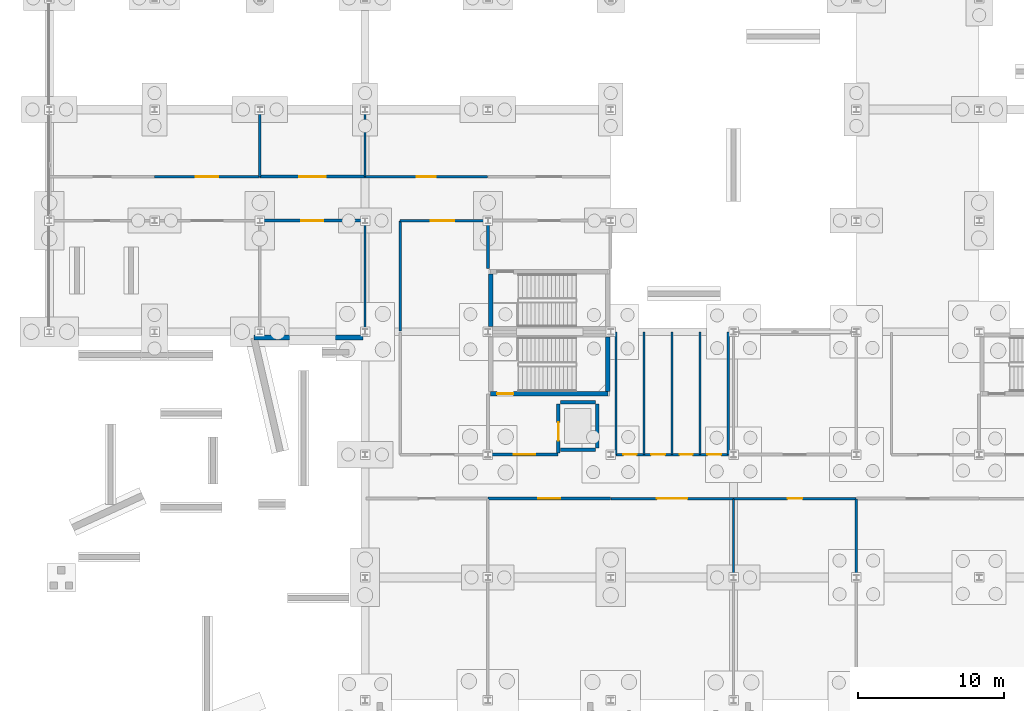
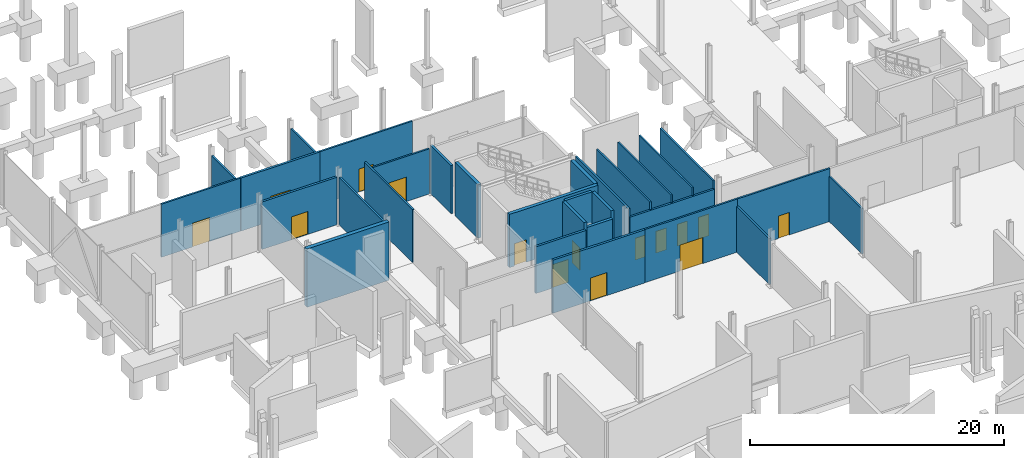
# One storey, part 44 of 61: 30 walls, 15 doors, 15 openings.
"""IFC4 building model written with IfcOpenShell, lengths in metres."""

from ifc_helpers import new_model, si_unit, direction, frame, frame_2d, origin, place, context, subcontext, project, spatial, rectangle, extrude, material, layer, layer_set, type_object, element, fill, save


model = new_model("IFC4")

# Units and contexts
model_context = context("Model", 3, precision=1e-05, world=origin(), true_north=direction((0.0, 1.0)))
body_context = subcontext(model_context, "Body", "Model", "MODEL_VIEW")
ifc_project = project(units=[si_unit("LENGTHUNIT", "METRE"), si_unit("AREAUNIT", "SQUARE_METRE"), si_unit("VOLUMEUNIT", "CUBIC_METRE"), si_unit("PLANEANGLEUNIT", "RADIAN"), si_unit("MASSUNIT", "GRAM", prefix="KILO")], contexts=[model_context])

# Site, building, storey
site_placement = place(None, origin())
site = spatial("IfcSite", under=ifc_project, at=site_placement, CompositionType="ELEMENT")
building_placement = place(site_placement, origin())
building = spatial("IfcBuilding", under=site, at=building_placement, Name="Calvrana Isthmian Art Gallery", CompositionType="ELEMENT")
storey_placement = place(building_placement, frame((0.0, 0.0, -5.39990234375)))
storey = spatial("IfcBuildingStorey", under=building, at=storey_placement, Name="B1", CompositionType="ELEMENT", Elevation=-5.39990234375)

# Wall, opening, door
ifc_material_1 = material(Name="Concrete C40/50", Category="concrete")
ifc_layer_1 = layer(ifc_material_1, 0.300048828125, Name="Concrete C40/50")
ifc_layer_set_1 = layer_set([ifc_layer_1], Name="Concrete C40/50")
wall_type_1 = type_object("IfcWallType", Name="CW-SHAFT-300", PredefinedType="SHEAR", material=ifc_layer_set_1)
wall_1_placement = place(storey_placement, frame((30.18994140625, 42.56005859375, 0.0), z_axis=(0.0, 0.0, 1.0), x_axis=(1.0, 0.0, 0.0)))
wall_1 = element("IfcWall", 1, at=wall_1_placement, inside=storey, type_object=wall_type_1, Name="Core C1 shear wall S B1", PredefinedType="SHEAR", context=body_context, shape_type="SweptSolid", body=[
    extrude(rectangle(XDim=8.02001953125, YDim=0.300048828125, at=frame_2d((4.010009765625, 0.0))), origin(), (0.0, 0.0, 1.0), 5.119873046875),
])
opening_1_placement = place(wall_1_placement, frame((0.449951171875, 0.0, 0.0)))
opening_1 = element("IfcOpeningElement", 2, at=opening_1_placement, cuts=wall_1, Name="Opening D-101", PredefinedType="OPENING", context=body_context, shape_type="SweptSolid", body=[
    extrude(rectangle(XDim=1.10009765625, YDim=2.14990234375, at=frame_2d((0.550048828125, 1.074951171875))), frame((0.0, 0.16015625, 0.0), z_axis=(0.0, -1.0, 0.0), x_axis=(1.0, 0.0, 0.0)), (0.0, 0.0, 1.0), 0.320556640625),
])
ifc_material_2 = material(Name="Steel ASTM A572 Gr 50", Category="steel")
door_type_1 = type_object("IfcDoorType", Name="DR-FIRE-1100", OperationType="NOTDEFINED", PredefinedType="DOOR", material=ifc_material_2)
door_1_placement = place(opening_1_placement, origin())
door_1 = element("IfcDoor", 3, at=door_1_placement, inside=storey, type_object=door_type_1, Name="Stair ST-1 fire door B1", OperationType="SINGLE_SWING_LEFT", OverallHeight=2.14990234375, OverallWidth=1.10009765625, PredefinedType="DOOR", context=body_context, shape_type="SweptSolid", body=[
    extrude(rectangle(XDim=1.10009765625, YDim=2.14990234375, at=frame_2d((0.550048828125, 1.074951171875))), frame((0.0, 0.02490234375, 0.0), z_axis=(0.0, -1.0, 0.0), x_axis=(1.0, 0.0, 0.0)), (0.0, 0.0, 1.0), 0.050048828125),
])
fill(opening_1, door_1)

# Walls
wall_2_placement = place(storey_placement, frame((38.2099609375, 42.7099609375, 0.0), z_axis=(0.0, 0.0, 1.0), x_axis=(0.0, 1.0, 0.0)))
element("IfcWall", 4, at=wall_2_placement, inside=storey, type_object=wall_type_1, Name="Core C1 shear wall E B1", PredefinedType="SHEAR", context=body_context, shape_type="SweptSolid", body=[
    extrude(rectangle(XDim=3.719970703125, YDim=0.300048828125, at=frame_2d((1.85986328125, 0.0))), origin(), (0.0, 0.0, 1.0), 5.119873046875),
])
wall_3_placement = place(storey_placement, frame((30.18994140625, 47.14990234375, 0.0), z_axis=(0.0, 0.0, 1.0), x_axis=(0.0, 1.0, 0.0)))
element("IfcWall", 5, at=wall_3_placement, inside=storey, type_object=wall_type_1, Name="Core C7 shear wall W B1", PredefinedType="SHEAR", context=body_context, shape_type="SweptSolid", body=[
    extrude(rectangle(XDim=3.60009765625, YDim=0.300048828125, at=frame_2d((1.800048828125, 0.0))), origin(), (0.0, 0.0, 1.0), 5.119873046875),
])

# Wall, openings, doors
ifc_material_3 = material(Name="Acoustic gypsum ceiling", Category="gypsum")
ifc_layer_2 = layer(ifc_material_3, 0.179931640625, Name="Acoustic gypsum ceiling")
ifc_layer_set_2 = layer_set([ifc_layer_2], Name="Acoustic gypsum ceiling")
wall_type_2 = type_object("IfcWallType", Name="PW-CORR-180", PredefinedType="PARTITIONING", material=ifc_layer_set_2)
wall_4_placement = place(storey_placement, frame((38.760009765625, 38.39990234375, 0.0), z_axis=(0.0, 0.0, 1.0), x_axis=(1.0, 0.0, 0.0)))
wall_4 = element("IfcWall", 6, at=wall_4_placement, inside=storey, type_object=wall_type_2, Name="Interior partition PW-023", PredefinedType="PARTITIONING", context=body_context, shape_type="SweptSolid", body=[
    extrude(rectangle(XDim=7.679931640625, YDim=0.179931640625, at=frame_2d((3.83984375, 0.0))), origin(), (0.0, 0.0, 1.0), 4.337890625),
])
opening_2_placement = place(wall_4_placement, frame((0.510009765625, 0.0, 0.0)))
opening_2 = element("IfcOpeningElement", 7, at=opening_2_placement, cuts=wall_4, Name="Opening D-198", PredefinedType="OPENING", context=body_context, shape_type="SweptSolid", body=[
    extrude(rectangle(XDim=0.89990234375, YDim=2.10009765625, at=frame_2d((0.449951171875, 1.050048828125))), frame((0.0, 0.10009765625, 0.0), z_axis=(0.0, -1.0, 0.0), x_axis=(1.0, 0.0, 0.0)), (0.0, 0.0, 1.0), 0.200439453125),
])
opening_3_placement = place(wall_4_placement, frame((2.405029296875, 0.0, 0.0)))
opening_3 = element("IfcOpeningElement", 8, at=opening_3_placement, cuts=wall_4, Name="Opening D-199", PredefinedType="OPENING", context=body_context, shape_type="SweptSolid", body=[
    extrude(rectangle(XDim=0.949951171875, YDim=2.10009765625, at=frame_2d((0.47509765625, 1.050048828125))), frame((0.0, 0.10009765625, 0.0), z_axis=(0.0, -1.0, 0.0), x_axis=(1.0, 0.0, 0.0)), (0.0, 0.0, 1.0), 0.200439453125),
])
opening_4_placement = place(wall_4_placement, frame((4.35009765625, 0.0, 0.0)))
opening_4 = element("IfcOpeningElement", 9, at=opening_4_placement, cuts=wall_4, Name="Opening D-200", PredefinedType="OPENING", context=body_context, shape_type="SweptSolid", body=[
    extrude(rectangle(XDim=0.89990234375, YDim=2.10009765625, at=frame_2d((0.449951171875, 1.050048828125))), frame((0.0, 0.10009765625, 0.0), z_axis=(0.0, -1.0, 0.0), x_axis=(1.0, 0.0, 0.0)), (0.0, 0.0, 1.0), 0.200439453125),
])
opening_5_placement = place(wall_4_placement, frame((6.2451171875, 0.0, 0.0)))
opening_5 = element("IfcOpeningElement", 10, at=opening_5_placement, cuts=wall_4, Name="Opening D-201", PredefinedType="OPENING", context=body_context, shape_type="SweptSolid", body=[
    extrude(rectangle(XDim=0.949951171875, YDim=2.10009765625, at=frame_2d((0.47509765625, 1.050048828125))), frame((0.0, 0.10009765625, 0.0), z_axis=(0.0, -1.0, 0.0), x_axis=(1.0, 0.0, 0.0)), (0.0, 0.0, 1.0), 0.200439453125),
])
ifc_material_4 = material(Name="Timber gallery flooring", Category="wood")
door_type_2 = type_object("IfcDoorType", Name="DR-WC-900", OperationType="NOTDEFINED", PredefinedType="DOOR", material=ifc_material_4)
door_2_placement = place(opening_2_placement, origin())
door_2 = element("IfcDoor", 11, at=door_2_placement, inside=storey, type_object=door_type_2, Name="Interior door D-198", OperationType="SINGLE_SWING_LEFT", OverallHeight=2.10009765625, OverallWidth=0.89990234375, PredefinedType="DOOR", context=body_context, shape_type="SweptSolid", body=[
    extrude(rectangle(XDim=0.89990234375, YDim=2.10009765625, at=frame_2d((0.449951171875, 1.050048828125))), frame((0.0, 0.02490234375, 0.0), z_axis=(0.0, -1.0, 0.0), x_axis=(1.0, 0.0, 0.0)), (0.0, 0.0, 1.0), 0.050048828125),
])
fill(opening_2, door_2)
door_3_placement = place(opening_4_placement, origin())
door_3 = element("IfcDoor", 12, at=door_3_placement, inside=storey, type_object=door_type_2, Name="Interior door D-200", OperationType="SINGLE_SWING_LEFT", OverallHeight=2.10009765625, OverallWidth=0.89990234375, PredefinedType="DOOR", context=body_context, shape_type="SweptSolid", body=[
    extrude(rectangle(XDim=0.89990234375, YDim=2.10009765625, at=frame_2d((0.449951171875, 1.050048828125))), frame((0.0, 0.02490234375, 0.0), z_axis=(0.0, -1.0, 0.0), x_axis=(1.0, 0.0, 0.0)), (0.0, 0.0, 1.0), 0.050048828125),
])
fill(opening_4, door_3)
door_type_3 = type_object("IfcDoorType", Name="DR-WC-950", OperationType="NOTDEFINED", PredefinedType="DOOR", material=ifc_material_4)
door_4_placement = place(opening_3_placement, origin())
door_4 = element("IfcDoor", 13, at=door_4_placement, inside=storey, type_object=door_type_3, Name="Interior door D-199", OperationType="SINGLE_SWING_RIGHT", OverallHeight=2.10009765625, OverallWidth=0.949951171875, PredefinedType="DOOR", context=body_context, shape_type="SweptSolid", body=[
    extrude(rectangle(XDim=0.949951171875, YDim=2.10009765625, at=frame_2d((0.47509765625, 1.050048828125))), frame((0.0, 0.02490234375, 0.0), z_axis=(0.0, -1.0, 0.0), x_axis=(1.0, 0.0, 0.0)), (0.0, 0.0, 1.0), 0.050048828125),
])
fill(opening_3, door_4)
door_5_placement = place(opening_5_placement, origin())
door_5 = element("IfcDoor", 14, at=door_5_placement, inside=storey, type_object=door_type_3, Name="Interior door D-201", OperationType="SINGLE_SWING_RIGHT", OverallHeight=2.10009765625, OverallWidth=0.949951171875, PredefinedType="DOOR", context=body_context, shape_type="SweptSolid", body=[
    extrude(rectangle(XDim=0.949951171875, YDim=2.10009765625, at=frame_2d((0.47509765625, 1.050048828125))), frame((0.0, 0.02490234375, 0.0), z_axis=(0.0, -1.0, 0.0), x_axis=(1.0, 0.0, 0.0)), (0.0, 0.0, 1.0), 0.050048828125),
])
fill(opening_5, door_5)

# Wall, opening, door
ifc_layer_3 = layer(ifc_material_3, 0.199951171875, Name="Acoustic gypsum ceiling")
ifc_layer_set_3 = layer_set([ifc_layer_3], Name="Acoustic gypsum ceiling")
wall_type_3 = type_object("IfcWallType", Name="PW-FIRE-200", PredefinedType="PARTITIONING", material=ifc_layer_set_3)
wall_5_placement = place(storey_placement, frame((30.219970703125, 38.39990234375, 0.0), z_axis=(0.0, 0.0, 1.0), x_axis=(1.0, 0.0, 0.0)))
wall_5 = element("IfcWall", 15, at=wall_5_placement, inside=storey, type_object=wall_type_3, Name="Core C1 lobby enclosure B1", PredefinedType="PARTITIONING", context=body_context, shape_type="SweptSolid", body=[
    extrude(rectangle(XDim=4.56005859375, YDim=0.199951171875, at=frame_2d((2.280029296875, 0.0))), origin(), (0.0, 0.0, 1.0), 4.48779296875),
])
opening_6_placement = place(wall_5_placement, frame((1.554931640625, 0.0, 0.0)))
opening_6 = element("IfcOpeningElement", 16, at=opening_6_placement, cuts=wall_5, Name="Opening D-102", PredefinedType="OPENING", context=body_context, shape_type="SweptSolid", body=[
    extrude(rectangle(XDim=1.449951171875, YDim=2.199951171875, at=frame_2d((0.72509765625, 1.10009765625))), frame((0.0, 0.1103515625, 0.0), z_axis=(0.0, -1.0, 0.0), x_axis=(1.0, 0.0, 0.0)), (0.0, 0.0, 1.0), 0.220458984375),
])
door_type_4 = type_object("IfcDoorType", Name="DR-LOBBY-1450", OperationType="DOUBLE_DOOR_SINGLE_SWING", PredefinedType="DOOR", material=ifc_material_2)
door_6_placement = place(opening_6_placement, origin())
door_6 = element("IfcDoor", 17, at=door_6_placement, inside=storey, type_object=door_type_4, Name="Core C1 lobby fire door B1", OperationType="DOUBLE_DOOR_SINGLE_SWING", OverallHeight=2.199951171875, OverallWidth=1.449951171875, PredefinedType="DOOR", context=body_context, shape_type="SweptSolid", body=[
    extrude(rectangle(XDim=1.449951171875, YDim=2.199951171875, at=frame_2d((0.72509765625, 1.10009765625))), frame((0.0, 0.02490234375, 0.0), z_axis=(0.0, -1.0, 0.0), x_axis=(1.0, 0.0, 0.0)), (0.0, 0.0, 1.0), 0.050048828125),
])
fill(opening_6, door_6)

# Wall
wall_6_placement = place(storey_placement, frame((30.0, 51.1201171875, 0.0), z_axis=(0.0, 0.0, 1.0), x_axis=(0.0, 1.0, 0.0)))
element("IfcWall", 18, at=wall_6_placement, inside=storey, type_object=wall_type_3, Name="Core C7 lobby W closure B1", PredefinedType="PARTITIONING", context=body_context, shape_type="SweptSolid", body=[
    extrude(rectangle(XDim=3.259765625, YDim=0.199951171875, at=frame_2d((1.6298828125, 0.0))), origin(), (0.0, 0.0, 1.0), 4.637939453125),
])

# Wall, opening, door
wall_7_placement = place(storey_placement, frame((30.010009765625, 35.389892578125, 0.0), z_axis=(0.0, 0.0, 1.0), x_axis=(1.0, 0.0, 0.0)))
wall_7 = element("IfcWall", 19, at=wall_7_placement, inside=storey, type_object=wall_type_3, Name="Interior partition PW-004", PredefinedType="PARTITIONING", context=body_context, shape_type="SweptSolid", body=[
    extrude(rectangle(XDim=8.3798828125, YDim=0.199951171875, at=frame_2d((4.18994140625, 0.0))), origin(), (0.0, 0.0, 1.0), 5.099853515625),
])
opening_7_placement = place(wall_7_placement, frame((3.43994140625, 0.0, 0.0)))
opening_7 = element("IfcOpeningElement", 20, at=opening_7_placement, cuts=wall_7, Name="Opening D-191", PredefinedType="OPENING", context=body_context, shape_type="SweptSolid", body=[
    extrude(rectangle(XDim=1.5, YDim=2.199951171875, at=frame_2d((0.75, 1.10009765625))), frame((0.0, 0.1103515625, 0.0), z_axis=(0.0, -1.0, 0.0), x_axis=(1.0, 0.0, 0.0)), (0.0, 0.0, 1.0), 0.220458984375),
])
door_type_5 = type_object("IfcDoorType", Name="DR-STAIR-1500", OperationType="NOTDEFINED", PredefinedType="DOOR", material=ifc_material_2)
door_7_placement = place(opening_7_placement, origin())
door_7 = element("IfcDoor", 21, at=door_7_placement, inside=storey, type_object=door_type_5, Name="Interior door D-191", OperationType="SINGLE_SWING_LEFT", OverallHeight=2.199951171875, OverallWidth=1.5, PredefinedType="DOOR", context=body_context, shape_type="SweptSolid", body=[
    extrude(rectangle(XDim=1.5, YDim=2.199951171875, at=frame_2d((0.75, 1.10009765625))), frame((0.0, 0.02490234375, 0.0), z_axis=(0.0, -1.0, 0.0), x_axis=(1.0, 0.0, 0.0)), (0.0, 0.0, 1.0), 0.050048828125),
])
fill(opening_7, door_7)

wall_8_placement = place(storey_placement, frame((14.6005859375, 54.39990234375, 0.0), z_axis=(0.0, 0.0, 1.0), x_axis=(1.0, 0.0, 0.0)))
wall_8 = element("IfcWall", 22, at=wall_8_placement, inside=storey, type_object=wall_type_3, Name="Interior partition PW-033", PredefinedType="PARTITIONING", context=body_context, shape_type="SweptSolid", body=[
    extrude(rectangle(XDim=6.80029296875, YDim=0.199951171875, at=frame_2d((3.400146484375, 0.0))), origin(), (0.0, 0.0, 1.0), 4.56689453125),
])
opening_8_placement = place(wall_8_placement, frame((2.650146484375, 0.0, 0.0)))
opening_8 = element("IfcOpeningElement", 23, at=opening_8_placement, cuts=wall_8, Name="Opening D-207", PredefinedType="OPENING", context=body_context, shape_type="SweptSolid", body=[
    extrude(rectangle(XDim=1.5, YDim=2.199951171875, at=frame_2d((0.75, 1.10009765625))), frame((0.0, 0.1103515625, 0.0), z_axis=(0.0, -1.0, 0.0), x_axis=(1.0, 0.0, 0.0)), (0.0, 0.0, 1.0), 0.220458984375),
])
door_8_placement = place(opening_8_placement, origin())
door_8 = element("IfcDoor", 24, at=door_8_placement, inside=storey, type_object=door_type_5, Name="Interior door D-207", OperationType="SINGLE_SWING_RIGHT", OverallHeight=2.199951171875, OverallWidth=1.5, PredefinedType="DOOR", context=body_context, shape_type="SweptSolid", body=[
    extrude(rectangle(XDim=1.5, YDim=2.199951171875, at=frame_2d((0.75, 1.10009765625))), frame((0.0, 0.02490234375, 0.0), z_axis=(0.0, -1.0, 0.0), x_axis=(1.0, 0.0, 0.0)), (0.0, 0.0, 1.0), 0.050048828125),
])
fill(opening_8, door_8)

wall_9_placement = place(storey_placement, frame((14.409912109375, 57.409912109375, 0.0), z_axis=(0.0, 0.0, 1.0), x_axis=(1.0, 0.0, 0.0)))
wall_9 = element("IfcWall", 25, at=wall_9_placement, inside=storey, type_object=wall_type_3, Name="Interior partition PW-040", PredefinedType="PARTITIONING", context=body_context, shape_type="SweptSolid", body=[
    extrude(rectangle(XDim=7.18017578125, YDim=0.199951171875, at=frame_2d((3.590087890625, 0.0))), origin(), (0.0, 0.0, 1.0), 5.099853515625),
])
opening_9_placement = place(wall_9_placement, frame((2.68994140625, 0.0, 0.0)))
opening_9 = element("IfcOpeningElement", 26, at=opening_9_placement, cuts=wall_9, Name="Opening D-211", PredefinedType="OPENING", context=body_context, shape_type="SweptSolid", body=[
    extrude(rectangle(XDim=1.800048828125, YDim=2.39990234375, at=frame_2d((0.89990234375, 1.199951171875))), frame((0.0, 0.1103515625, 0.0), z_axis=(0.0, -1.0, 0.0), x_axis=(1.0, 0.0, 0.0)), (0.0, 0.0, 1.0), 0.220458984375),
])
door_type_6 = type_object("IfcDoorType", Name="DR-VAULT-1800", OperationType="DOUBLE_DOOR_SINGLE_SWING", PredefinedType="DOOR", material=ifc_material_2)
door_9_placement = place(opening_9_placement, origin())
door_9 = element("IfcDoor", 27, at=door_9_placement, inside=storey, type_object=door_type_6, Name="Interior door D-211", OperationType="DOUBLE_DOOR_SINGLE_SWING", OverallHeight=2.39990234375, OverallWidth=1.800048828125, PredefinedType="DOOR", context=body_context, shape_type="SweptSolid", body=[
    extrude(rectangle(XDim=1.800048828125, YDim=2.39990234375, at=frame_2d((0.89990234375, 1.199951171875))), frame((0.0, 0.02490234375, 0.0), z_axis=(0.0, -1.0, 0.0), x_axis=(1.0, 0.0, 0.0)), (0.0, 0.0, 1.0), 0.050048828125),
])
fill(opening_9, door_9)

ifc_layer_4 = layer(ifc_material_3, 0.159912109375, Name="Acoustic gypsum ceiling")
ifc_layer_set_4 = layer_set([ifc_layer_4], Name="Acoustic gypsum ceiling")
wall_type_4 = type_object("IfcWallType", Name="PW-GAL-160", PredefinedType="PARTITIONING", material=ifc_layer_set_4)
wall_10_placement = place(storey_placement, frame((38.409912109375, 35.389892578125, 0.0), z_axis=(0.0, 0.0, 1.0), x_axis=(1.0, 0.0, 0.0)))
wall_10 = element("IfcWall", 28, at=wall_10_placement, inside=storey, type_object=wall_type_4, Name="Interior partition PW-005", PredefinedType="PARTITIONING", context=body_context, shape_type="SweptSolid", body=[
    extrude(rectangle(XDim=8.380126953125, YDim=0.159912109375, at=frame_2d((4.18994140625, 0.0))), origin(), (0.0, 0.0, 1.0), 5.099853515625),
])
opening_10_placement = place(wall_10_placement, frame((3.139892578125, 0.0, 0.0)))
opening_10 = element("IfcOpeningElement", 29, at=opening_10_placement, cuts=wall_10, Name="Opening D-192", PredefinedType="OPENING", context=body_context, shape_type="SweptSolid", body=[
    extrude(rectangle(XDim=2.10009765625, YDim=2.5, at=frame_2d((1.050048828125, 1.25))), frame((0.0, 0.09033203125, 0.0), z_axis=(0.0, -1.0, 0.0), x_axis=(1.0, 0.0, 0.0)), (0.0, 0.0, 1.0), 0.180419921875),
])
door_type_7 = type_object("IfcDoorType", Name="DR-GAL-2100", OperationType="DOUBLE_DOOR_SINGLE_SWING", PredefinedType="DOOR", material=ifc_material_4)
door_10_placement = place(opening_10_placement, origin())
door_10 = element("IfcDoor", 30, at=door_10_placement, inside=storey, type_object=door_type_7, Name="Interior door D-192", OperationType="DOUBLE_DOOR_SINGLE_SWING", OverallHeight=2.5, OverallWidth=2.10009765625, PredefinedType="DOOR", context=body_context, shape_type="SweptSolid", body=[
    extrude(rectangle(XDim=2.10009765625, YDim=2.5, at=frame_2d((1.050048828125, 1.25))), frame((0.0, 0.02490234375, 0.0), z_axis=(0.0, -1.0, 0.0), x_axis=(1.0, 0.0, 0.0)), (0.0, 0.0, 1.0), 0.050048828125),
])
fill(opening_10, door_10)

# Wall
wall_11_placement = place(storey_placement, frame((46.800048828125, 30.20556640625, 0.0), z_axis=(0.0, 0.0, 1.0), x_axis=(0.0, 1.0, 0.0)))
element("IfcWall", 31, at=wall_11_placement, inside=storey, type_object=wall_type_4, Name="Interior partition PW-007", PredefinedType="PARTITIONING", context=body_context, shape_type="SweptSolid", body=[
    extrude(rectangle(XDim=5.17431640625, YDim=0.159912109375, at=frame_2d((2.587158203125, 0.0))), origin(), (0.0, 0.0, 1.0), 4.406982421875),
])

# Wall, opening, door
wall_12_placement = place(storey_placement, frame((46.81005859375, 35.389892578125, 0.0), z_axis=(0.0, 0.0, 1.0), x_axis=(1.0, 0.0, 0.0)))
wall_12 = element("IfcWall", 32, at=wall_12_placement, inside=storey, type_object=wall_type_4, Name="Interior partition PW-008", PredefinedType="PARTITIONING", context=body_context, shape_type="SweptSolid", body=[
    extrude(rectangle(XDim=8.3798828125, YDim=0.159912109375, at=frame_2d((4.18994140625, 0.0))), origin(), (0.0, 0.0, 1.0), 5.099853515625),
])
opening_11_placement = place(wall_12_placement, frame((3.68994140625, 0.0, 0.0)))
opening_11 = element("IfcOpeningElement", 33, at=opening_11_placement, cuts=wall_12, Name="Opening D-193", PredefinedType="OPENING", context=body_context, shape_type="SweptSolid", body=[
    extrude(rectangle(XDim=1.0, YDim=2.14990234375, at=frame_2d((0.5, 1.074951171875))), frame((0.0, 0.09033203125, 0.0), z_axis=(0.0, -1.0, 0.0), x_axis=(1.0, 0.0, 0.0)), (0.0, 0.0, 1.0), 0.180419921875),
])
door_type_8 = type_object("IfcDoorType", Name="DR-RM-1000", OperationType="NOTDEFINED", PredefinedType="DOOR", material=ifc_material_4)
door_11_placement = place(opening_11_placement, origin())
door_11 = element("IfcDoor", 34, at=door_11_placement, inside=storey, type_object=door_type_8, Name="Interior door D-193", OperationType="SINGLE_SWING_RIGHT", OverallHeight=2.14990234375, OverallWidth=1.0, PredefinedType="DOOR", context=body_context, shape_type="SweptSolid", body=[
    extrude(rectangle(XDim=1.0, YDim=2.14990234375, at=frame_2d((0.5, 1.074951171875))), frame((0.0, 0.02490234375, 0.0), z_axis=(0.0, -1.0, 0.0), x_axis=(1.0, 0.0, 0.0)), (0.0, 0.0, 1.0), 0.050048828125),
])
fill(opening_11, door_11)

# Walls
wall_13_placement = place(storey_placement, frame((55.199951171875, 30.2080078125, 0.0), z_axis=(0.0, 0.0, 1.0), x_axis=(0.0, 1.0, 0.0)))
element("IfcWall", 35, at=wall_13_placement, inside=storey, type_object=wall_type_4, Name="Interior partition PW-010", PredefinedType="PARTITIONING", context=body_context, shape_type="SweptSolid", body=[
    extrude(rectangle(XDim=5.171875, YDim=0.159912109375, at=frame_2d((2.5859375, 0.0))), origin(), (0.0, 0.0, 1.0), 4.327880859375),
])
for number, where, z_axis, x_axis, name in (
    (36, (38.760009765625, 38.409912109375, 0.0), (0.0, 0.0, 1.0), (0.0, 1.0, 0.0), "Interior partition PW-021"),
    (37, (46.43994140625, 38.409912109375, 0.0), (0.0, 0.0, 1.0), (0.0, 1.0, 0.0), "Interior partition PW-022"),
):
    element("IfcWall", number, at=place(storey_placement, frame(where, z_axis=z_axis, x_axis=x_axis)), inside=storey, type_object=wall_type_4, Name=name, PredefinedType="PARTITIONING", context=body_context, shape_type="SweptSolid", body=[
        extrude(rectangle(XDim=8.360107421875, YDim=0.159912109375, at=frame_2d((4.18017578125, 0.0))), origin(), (0.0, 0.0, 1.0), 5.099853515625),
    ])
wall_14_placement = place(storey_placement, frame((21.60009765625, 47.008056640625, 0.0), z_axis=(0.0, 0.0, 1.0), x_axis=(0.0, 1.0, 0.0)))
element("IfcWall", 38, at=wall_14_placement, inside=storey, type_object=wall_type_4, Name="Interior partition PW-034", PredefinedType="PARTITIONING", context=body_context, shape_type="SweptSolid", body=[
    extrude(rectangle(XDim=7.198974609375, YDim=0.159912109375, at=frame_2d((3.599609375, 0.0))), origin(), (0.0, 0.0, 1.0), 4.56689453125),
])
wall_15_placement = place(storey_placement, frame((24.0, 46.840087890625, 0.0), z_axis=(0.0, 0.0, 1.0), x_axis=(0.0, 1.0, 0.0)))
element("IfcWall", 39, at=wall_15_placement, inside=storey, type_object=wall_type_4, Name="Interior partition PW-035", PredefinedType="PARTITIONING", context=body_context, shape_type="SweptSolid", body=[
    extrude(rectangle(XDim=7.539794921875, YDim=0.159912109375, at=frame_2d((3.77001953125, 0.0))), origin(), (0.0, 0.0, 1.0), 5.099853515625),
])

# Wall, opening, door
wall_16_placement = place(storey_placement, frame((24.0, 54.39990234375, 0.0), z_axis=(0.0, 0.0, 1.0), x_axis=(1.0, 0.0, 0.0)))
wall_16 = element("IfcWall", 40, at=wall_16_placement, inside=storey, type_object=wall_type_4, Name="Interior partition PW-036", PredefinedType="PARTITIONING", context=body_context, shape_type="SweptSolid", body=[
    extrude(rectangle(XDim=5.798583984375, YDim=0.159912109375, at=frame_2d((2.8994140625, 0.0))), origin(), (0.0, 0.0, 1.0), 4.337890625),
])
opening_12_placement = place(wall_16_placement, frame((2.099365234375, 0.0, 0.0)))
opening_12 = element("IfcOpeningElement", 41, at=opening_12_placement, cuts=wall_16, Name="Opening D-208", PredefinedType="OPENING", context=body_context, shape_type="SweptSolid", body=[
    extrude(rectangle(XDim=1.60009765625, YDim=2.35009765625, at=frame_2d((0.800048828125, 1.175048828125))), frame((0.0, 0.09033203125, 0.0), z_axis=(0.0, -1.0, 0.0), x_axis=(1.0, 0.0, 0.0)), (0.0, 0.0, 1.0), 0.180419921875),
])
door_type_9 = type_object("IfcDoorType", Name="DR-GAL-1600", OperationType="DOUBLE_DOOR_SINGLE_SWING", PredefinedType="DOOR", material=ifc_material_4)
door_12_placement = place(opening_12_placement, origin())
door_12 = element("IfcDoor", 42, at=door_12_placement, inside=storey, type_object=door_type_9, Name="Interior door D-208", OperationType="DOUBLE_DOOR_SINGLE_SWING", OverallHeight=2.35009765625, OverallWidth=1.60009765625, PredefinedType="DOOR", context=body_context, shape_type="SweptSolid", body=[
    extrude(rectangle(XDim=1.60009765625, YDim=2.35009765625, at=frame_2d((0.800048828125, 1.175048828125))), frame((0.0, 0.02490234375, 0.0), z_axis=(0.0, -1.0, 0.0), x_axis=(1.0, 0.0, 0.0)), (0.0, 0.0, 1.0), 0.050048828125),
])
fill(opening_12, door_12)

wall_17_placement = place(storey_placement, frame((7.2099609375, 57.409912109375, 0.0), z_axis=(0.0, 0.0, 1.0), x_axis=(1.0, 0.0, 0.0)))
wall_17 = element("IfcWall", 43, at=wall_17_placement, inside=storey, type_object=wall_type_4, Name="Interior partition PW-038", PredefinedType="PARTITIONING", context=body_context, shape_type="SweptSolid", body=[
    extrude(rectangle(XDim=7.179931640625, YDim=0.159912109375, at=frame_2d((3.58984375, 0.0))), origin(), (0.0, 0.0, 1.0), 5.099853515625),
])
opening_13_placement = place(wall_17_placement, frame((2.81494140625, 0.0, 0.0)))
opening_13 = element("IfcOpeningElement", 44, at=opening_13_placement, cuts=wall_17, Name="Opening D-210", PredefinedType="OPENING", context=body_context, shape_type="SweptSolid", body=[
    extrude(rectangle(XDim=1.550048828125, YDim=2.300048828125, at=frame_2d((0.77490234375, 1.14990234375))), frame((0.0, 0.09033203125, 0.0), z_axis=(0.0, -1.0, 0.0), x_axis=(1.0, 0.0, 0.0)), (0.0, 0.0, 1.0), 0.180419921875),
])
door_type_10 = type_object("IfcDoorType", Name="DR-AUD-1550", OperationType="DOUBLE_DOOR_SINGLE_SWING", PredefinedType="DOOR", material=ifc_material_4)
door_13_placement = place(opening_13_placement, origin())
door_13 = element("IfcDoor", 45, at=door_13_placement, inside=storey, type_object=door_type_10, Name="Interior door D-210", OperationType="DOUBLE_DOOR_SINGLE_SWING", OverallHeight=2.300048828125, OverallWidth=1.550048828125, PredefinedType="DOOR", context=body_context, shape_type="SweptSolid", body=[
    extrude(rectangle(XDim=1.550048828125, YDim=2.300048828125, at=frame_2d((0.77490234375, 1.14990234375))), frame((0.0, 0.02490234375, 0.0), z_axis=(0.0, -1.0, 0.0), x_axis=(1.0, 0.0, 0.0)), (0.0, 0.0, 1.0), 0.050048828125),
])
fill(opening_13, door_13)

# Walls
wall_18_placement = place(storey_placement, frame((14.39990234375, 57.419921875, 0.0), z_axis=(0.0, 0.0, 1.0), x_axis=(0.0, 1.0, 0.0)))
element("IfcWall", 46, at=wall_18_placement, inside=storey, type_object=wall_type_4, Name="Interior partition PW-039", PredefinedType="PARTITIONING", context=body_context, shape_type="SweptSolid", body=[
    extrude(rectangle(XDim=4.381103515625, YDim=0.159912109375, at=frame_2d((2.1904296875, 0.0))), origin(), (0.0, 0.0, 1.0), 4.56689453125),
])
wall_19_placement = place(storey_placement, frame((21.60009765625, 57.419921875, 0.0), z_axis=(0.0, 0.0, 1.0), x_axis=(0.0, 1.0, 0.0)))
element("IfcWall", 47, at=wall_19_placement, inside=storey, type_object=wall_type_4, Name="Interior partition PW-041", PredefinedType="PARTITIONING", context=body_context, shape_type="SweptSolid", body=[
    extrude(rectangle(XDim=4.383544921875, YDim=0.159912109375, at=frame_2d((2.19189453125, 0.0))), origin(), (0.0, 0.0, 1.0), 4.637939453125),
])

# Wall, opening, door
wall_20_placement = place(storey_placement, frame((21.610107421875, 57.409912109375, 0.0), z_axis=(0.0, 0.0, 1.0), x_axis=(1.0, 0.0, 0.0)))
wall_20 = element("IfcWall", 48, at=wall_20_placement, inside=storey, type_object=wall_type_4, Name="Interior partition PW-042", PredefinedType="PARTITIONING", context=body_context, shape_type="SweptSolid", body=[
    extrude(rectangle(XDim=8.3798828125, YDim=0.159912109375, at=frame_2d((4.18994140625, 0.0))), origin(), (0.0, 0.0, 1.0), 5.099853515625),
])
opening_14_placement = place(wall_20_placement, frame((3.5400390625, 0.0, 0.0)))
opening_14 = element("IfcOpeningElement", 49, at=opening_14_placement, cuts=wall_20, Name="Opening D-212", PredefinedType="OPENING", context=body_context, shape_type="SweptSolid", body=[
    extrude(rectangle(XDim=1.300048828125, YDim=2.199951171875, at=frame_2d((0.64990234375, 1.10009765625))), frame((0.0, 0.09033203125, 0.0), z_axis=(0.0, -1.0, 0.0), x_axis=(1.0, 0.0, 0.0)), (0.0, 0.0, 1.0), 0.180419921875),
])
door_type_11 = type_object("IfcDoorType", Name="DR-RM-1300", OperationType="NOTDEFINED", PredefinedType="DOOR", material=ifc_material_4)
door_14_placement = place(opening_14_placement, origin())
door_14 = element("IfcDoor", 50, at=door_14_placement, inside=storey, type_object=door_type_11, Name="Interior door D-212", OperationType="SINGLE_SWING_RIGHT", OverallHeight=2.199951171875, OverallWidth=1.300048828125, PredefinedType="DOOR", context=body_context, shape_type="SweptSolid", body=[
    extrude(rectangle(XDim=1.300048828125, YDim=2.199951171875, at=frame_2d((0.64990234375, 1.10009765625))), frame((0.0, 0.02490234375, 0.0), z_axis=(0.0, -1.0, 0.0), x_axis=(1.0, 0.0, 0.0)), (0.0, 0.0, 1.0), 0.050048828125),
])
fill(opening_14, door_14)

# Walls
ifc_material_5 = material(Name="Concrete C35/45", Category="concrete")
ifc_layer_5 = layer(ifc_material_5, 0.25, Name="Concrete C35/45")
ifc_layer_set_5 = layer_set([ifc_layer_5], Name="Concrete C35/45")
wall_type_5 = type_object("IfcWallType", Name="PW-SHAFT-250", PredefinedType="PARTITIONING", material=ifc_layer_set_5)
wall_21_placement = place(storey_placement, frame((37.47998046875, 38.85009765625, 0.0), z_axis=(0.0, 0.0, 1.0), x_axis=(0.0, 1.0, 0.0)))
element("IfcWall", 51, at=wall_21_placement, inside=storey, type_object=wall_type_5, Name="Lift EL-01 shaft wall E B1", PredefinedType="PARTITIONING", context=body_context, shape_type="SweptSolid", body=[
    extrude(rectangle(XDim=3.0, YDim=0.25, at=frame_2d((1.5, 0.0))), origin(), (0.0, 0.0, 1.0), 5.119873046875),
])
wall_22_placement = place(storey_placement, frame((34.949951171875, 38.719970703125, 0.0), z_axis=(0.0, 0.0, 1.0), x_axis=(1.0, 0.0, 0.0)))
element("IfcWall", 52, at=wall_22_placement, inside=storey, type_object=wall_type_5, Name="Lift EL-01 shaft wall S B1", PredefinedType="PARTITIONING", context=body_context, shape_type="SweptSolid", body=[
    extrude(rectangle(XDim=2.400146484375, YDim=0.25, at=frame_2d((1.2001953125, 0.0))), origin(), (0.0, 0.0, 1.0), 4.48779296875),
])
wall_23_placement = place(storey_placement, frame((34.949951171875, 41.97998046875, 0.0), z_axis=(0.0, 0.0, 1.0), x_axis=(1.0, 0.0, 0.0)))
element("IfcWall", 53, at=wall_23_placement, inside=storey, type_object=wall_type_5, Name="Lift EL-01 shaft wall N B1", PredefinedType="PARTITIONING", context=body_context, shape_type="SweptSolid", body=[
    extrude(rectangle(XDim=2.400146484375, YDim=0.25, at=frame_2d((1.2001953125, 0.0))), origin(), (0.0, 0.0, 1.0), 5.119873046875),
])

# Wall, opening, door
wall_24_placement = place(storey_placement, frame((34.820068359375, 38.5, 0.0), z_axis=(0.0, 0.0, 1.0), x_axis=(0.0, 1.0, 0.0)))
wall_24 = element("IfcWall", 54, at=wall_24_placement, inside=storey, type_object=wall_type_5, Name="Lift EL-01 shaft wall W B1", PredefinedType="PARTITIONING", context=body_context, shape_type="SweptSolid", body=[
    extrude(rectangle(XDim=3.35009765625, YDim=0.25, at=frame_2d((1.675048828125, 0.0))), origin(), (0.0, 0.0, 1.0), 5.119873046875),
])
opening_15_placement = place(wall_24_placement, frame((0.85009765625, 0.0, 0.0)))
opening_15 = element("IfcOpeningElement", 55, at=opening_15_placement, cuts=wall_24, Name="Opening LD-01-B1", PredefinedType="OPENING", context=body_context, shape_type="SweptSolid", body=[
    extrude(rectangle(XDim=1.25, YDim=2.14990234375, at=frame_2d((0.625, 1.074951171875))), frame((0.0, 0.13525390625, 0.0), z_axis=(0.0, -1.0, 0.0), x_axis=(1.0, 0.0, 0.0)), (0.0, 0.0, 1.0), 0.2705078125),
])
ifc_material_6 = material(Name="Stainless steel 316", Category="steel")
door_type_12 = type_object("IfcDoorType", Name="DR-LIFT-1250", OperationType="DOUBLE_DOOR_SLIDING", PredefinedType="DOOR", material=ifc_material_6)
door_15_placement = place(opening_15_placement, origin())
door_15 = element("IfcDoor", 56, at=door_15_placement, inside=storey, type_object=door_type_12, Name="Lift EL-01 sliding landing door B1", OperationType="DOUBLE_DOOR_SLIDING", OverallHeight=2.14990234375, OverallWidth=1.25, PredefinedType="DOOR", context=body_context, shape_type="SweptSolid", body=[
    extrude(rectangle(XDim=1.25, YDim=2.14990234375, at=frame_2d((0.625, 1.074951171875))), frame((0.0, 0.02490234375, 0.0), z_axis=(0.0, -1.0, 0.0), x_axis=(1.0, 0.0, 0.0)), (0.0, 0.0, 1.0), 0.050048828125),
])
fill(opening_15, door_15)

# Walls
ifc_layer_6 = layer(ifc_material_3, 0.139892578125, Name="Acoustic gypsum ceiling")
ifc_layer_set_6 = layer_set([ifc_layer_6], Name="Acoustic gypsum ceiling")
wall_type_6 = type_object("IfcWallType", Name="PW-WC-140", PredefinedType="PARTITIONING", material=ifc_layer_set_6)
for number, where, z_axis, x_axis, name in (
    (57, (40.679931640625, 38.409912109375, 0.0), (0.0, 0.0, 1.0), (0.0, 1.0, 0.0), "Interior partition PW-018"),
    (58, (42.60009765625, 38.409912109375, 0.0), (0.0, 0.0, 1.0), (0.0, 1.0, 0.0), "Interior partition PW-019"),
    (59, (44.52001953125, 38.409912109375, 0.0), (0.0, 0.0, 1.0), (0.0, 1.0, 0.0), "Interior partition PW-020"),
):
    element("IfcWall", number, at=place(storey_placement, frame(where, z_axis=z_axis, x_axis=x_axis)), inside=storey, type_object=wall_type_6, Name=name, PredefinedType="PARTITIONING", context=body_context, shape_type="SweptSolid", body=[
        extrude(rectangle(XDim=8.360107421875, YDim=0.139892578125, at=frame_2d((4.18017578125, 0.0))), origin(), (0.0, 0.0, 1.0), 5.099853515625),
    ])
ifc_layer_7 = layer(ifc_material_1, 0.35009765625, Name="Concrete C40/50")
ifc_layer_set_7 = layer_set([ifc_layer_7], Name="Concrete C40/50")
wall_type_7 = type_object("IfcWallType", Name="WL-RET-350", PredefinedType="USERDEFINED", material=ifc_layer_set_7)
wall_25_placement = place(storey_placement, frame((21.449951171875, 46.39990234375, -0.4501953125), z_axis=(0.0, 0.0, 1.0), x_axis=(-1.0, 0.0, 0.0)))
element("IfcWall", 60, at=wall_25_placement, inside=storey, type_object=wall_type_7, Name="Sunken base return foundation wall PAV_EDU_NW-2", ObjectType="RETAINING WALL", PredefinedType="USERDEFINED", context=body_context, shape_type="SweptSolid", body=[
    extrude(rectangle(XDim=7.449951171875, YDim=0.35009765625, at=frame_2d((3.72509765625, 0.0))), origin(), (0.0, 0.0, 1.0), 5.60009765625),
])

save(model, "model.ifc")
